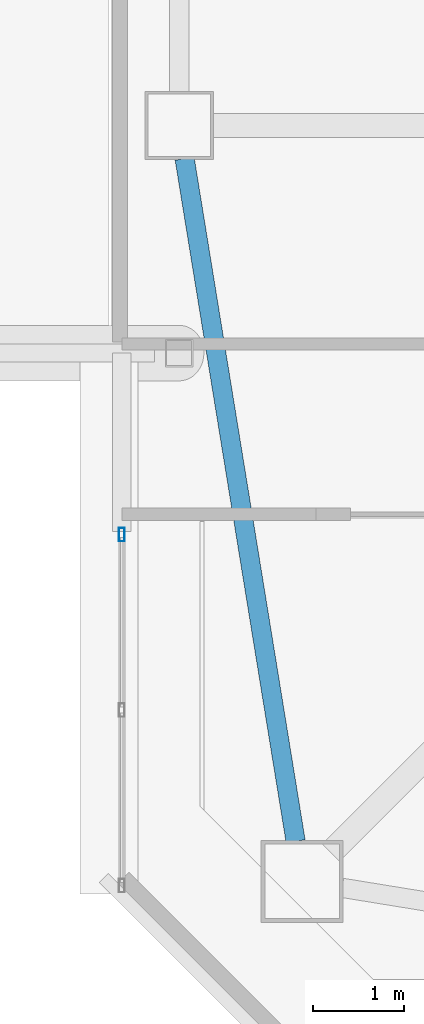
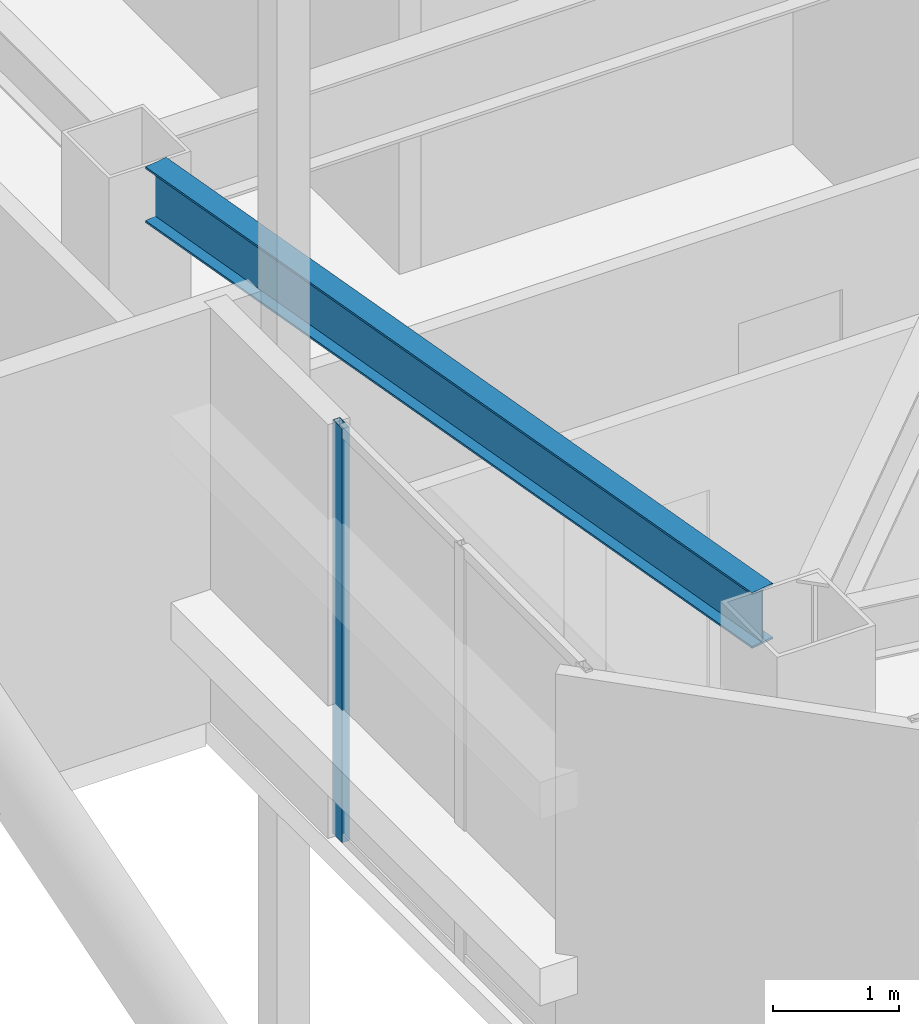
# One storey, part 6 of 53: 1 beam, 1 member, 1 element without a shape of its own.
"""IFC4 building model written with IfcOpenShell, lengths in metres."""

from ifc_helpers import new_model, si_unit, direction, frame, origin, origin_2d, place, context, subcontext, project, spatial, hollow_rectangle, i_section, extrude, material, material_profile, profile_set, type_object, element, aggregate, save


model = new_model("IFC4")

# Units and contexts
model_context = context("Model", 3, precision=1e-05, world=origin(), true_north=direction((0.0, 1.0)))
body_context = subcontext(model_context, "Body", "Model", "MODEL_VIEW")
ifc_project = project(units=[si_unit("LENGTHUNIT", "METRE"), si_unit("AREAUNIT", "SQUARE_METRE"), si_unit("VOLUMEUNIT", "CUBIC_METRE"), si_unit("PLANEANGLEUNIT", "RADIAN"), si_unit("MASSUNIT", "GRAM", prefix="KILO")], contexts=[model_context])

# Site, building, storey
site_placement = place(None, origin())
site = spatial("IfcSite", under=ifc_project, at=site_placement, CompositionType="ELEMENT")
building_placement = place(site_placement, origin())
building = spatial("IfcBuilding", under=site, at=building_placement, Name="Tashvorn Skyway Center", CompositionType="ELEMENT")
storey_placement = place(building_placement, frame((0.0, 0.0, 255.39990234375)))
storey = spatial("IfcBuildingStorey", under=building, at=storey_placement, Name="L69", CompositionType="ELEMENT", Elevation=255.39990234375)

# Beam
ifc_material_1 = material(Name="Steel ASTM A992 Grade 50", Category="steel")
ifc_material_profile_1 = material_profile(ifc_material_1, i_section(OverallWidth=0.2109375, OverallDepth=0.5390625, WebThickness=0.01171875, FlangeThickness=0.018798828125, at=origin_2d()), Name="W21X73")
ifc_profile_set_1 = profile_set([ifc_material_profile_1], Name="Steel ASTM A992 Grade 50")
beam_type = type_object("IfcBeamType", Name="BM-SPANDREL-W21X73", PredefinedType="SPANDREL", material=ifc_profile_set_1)
beam_placement = place(storey_placement, frame((27.009521484375, 26.23486328125, 3.510498046875), z_axis=(0.160519005885, -0.987032749583, 0.0), x_axis=(0.987032749583, 0.160519005885, 0.0)))
element("IfcBeam", 1, at=beam_placement, inside=storey, type_object=beam_type, Name="Tower 1 L69 Spandrel Beam 12", PredefinedType="SPANDREL", context=body_context, shape_type="SweptSolid", body=[
    extrude(i_section(OverallWidth=0.2109375, OverallDepth=0.5390625, WebThickness=0.01171875, FlangeThickness=0.018798828125, at=origin_2d()), origin(), (0.0, 0.0, 1.0), 7.593994140625),
])

# Curtain wall, member
ifc_material_2 = material(Name="Thermally broken bronze-anodized aluminium 6063-T6", Category="aluminium")
curtain_wall_type = type_object("IfcCurtainWallType", Name="CW-CW-SKY", PredefinedType="NOTDEFINED", material=ifc_material_2)
curtain_wall_placement = place(storey_placement, origin())
curtain_wall = element("IfcCurtainWall", 2, at=curtain_wall_placement, inside=storey, type_object=curtain_wall_type, Name="Tower 1 L69 West Curtain Wall A Glazing Group 1", PredefinedType="NOTDEFINED")
ifc_material_profile_2 = material_profile(ifc_material_2, hollow_rectangle(XDim=0.06494140625, YDim=0.14990234375, WallThickness=0.00390625, at=origin_2d()), Name="ALU-MULL-65x150")
ifc_profile_set_2 = profile_set([ifc_material_profile_2], Name="Thermally broken bronze-anodized aluminium 6063-T6")
member_type = type_object("IfcMemberType", Name="CWM-CW-SKY", PredefinedType="MULLION", material=ifc_profile_set_2)
member_placement = place(storey_placement, frame((26.320068359375, 22.107421875, 0.0), z_axis=(0.0, 0.0, 1.0), x_axis=(-1.0, 0.0, 0.0)))
member = element("IfcMember", 3, at=member_placement, type_object=member_type, Name="CW-SKY mullion 3", PredefinedType="MULLION", context=body_context, shape_type="SweptSolid", body=[
    extrude(hollow_rectangle(XDim=0.06494140625, YDim=0.14990234375, WallThickness=0.00390625, at=origin_2d()), origin(), (0.0, 0.0, 1.0), 4.0),
])
aggregate(curtain_wall, [member])

save(model, "model.ifc")
